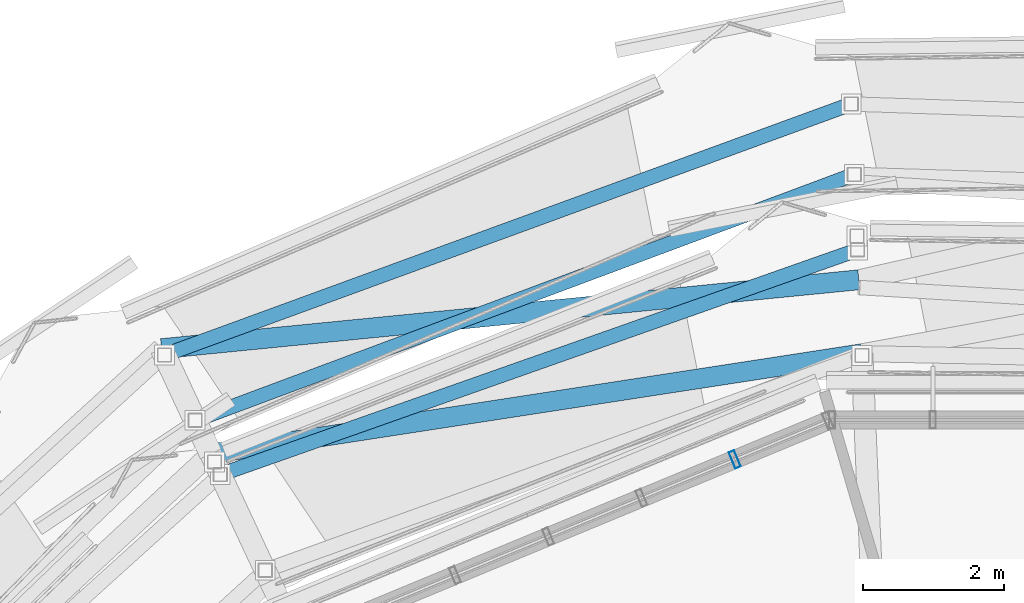
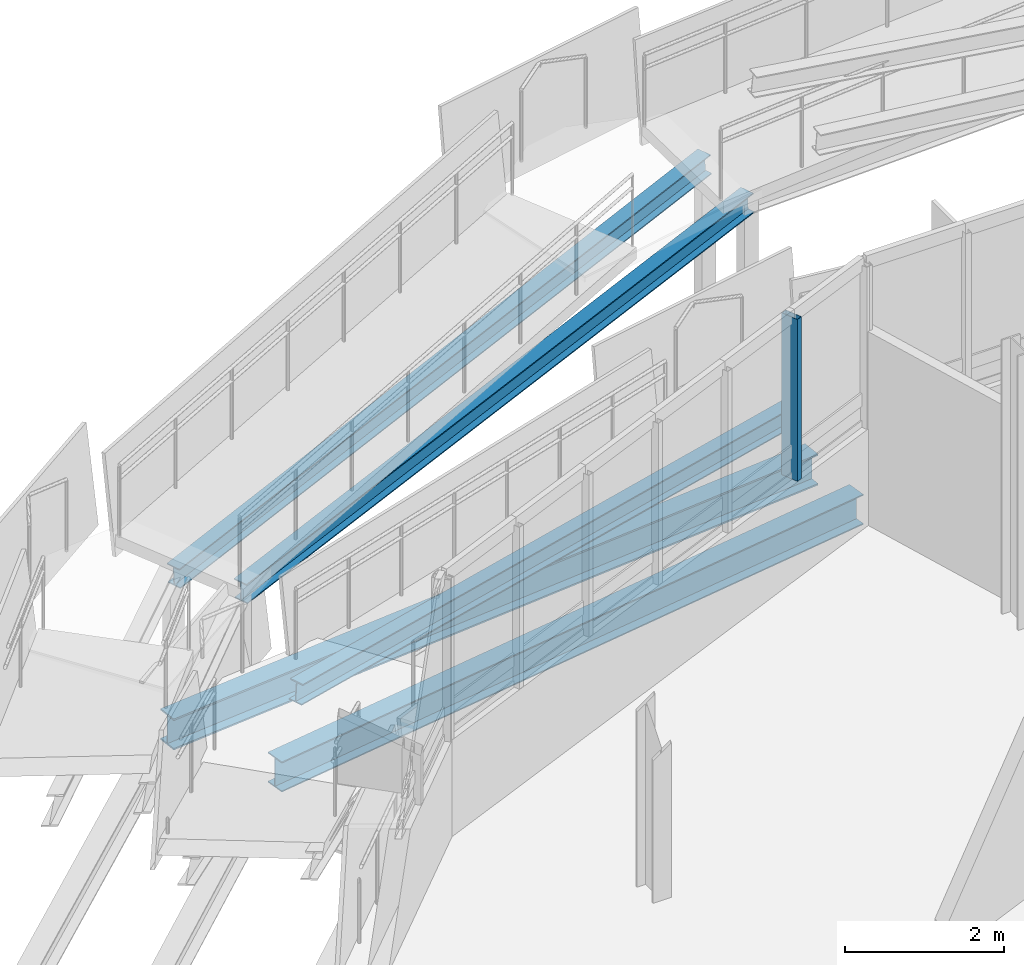
# One storey, part 46 of 107: 5 beams, 1 member, 1 element without a shape of its own.
"""IFC4 building model written with IfcOpenShell, lengths in metres."""

import ifcopenshell
import ifcopenshell.guid

model = None  # the IFC model being written
_history = None  # IfcOwnerHistory: only IFC2X3 demands one
_inside = {}  # id of a spatial element -> (the spatial element, [elements in it])
_under = {}  # id of a project, library or spatial element -> (it, [spatial elements below it])
_declared = {}  # id of a project -> (the project, [libraries it declares])
_typed = {}  # id of a type object -> (the type object, [elements of that type])
_made_of = {}  # id of a material, layer set ... -> (it, [elements and type objects made of it])


def new_model(schema):
    """Start an empty IFC model of exactly this schema.

    Asked for "IFC4X3", IfcOpenShell would pick the latest addendum, in which some entities
    have other attributes; the version numbers below select the first issue.
    IFC2X3 requires an IfcOwnerHistory on every rooted entity: one is made here for all.
    """
    global model, _history
    if schema == "IFC4X3":
        model = ifcopenshell.file(schema_version=(4, 3, 0, 0))
    else:
        model = ifcopenshell.file(schema=schema)
    _inside.clear()
    _under.clear()
    _declared.clear()
    _typed.clear()
    _made_of.clear()
    _history = None
    if model.schema == "IFC2X3":
        org = make("IfcOrganization", Name="unknown")
        user = make(
            "IfcPersonAndOrganization",
            ThePerson=make("IfcPerson", FamilyName="unknown"),
            TheOrganization=org,
        )
        app = make(
            "IfcApplication",
            ApplicationDeveloper=org,
            Version="unknown",
            ApplicationFullName="unknown",
            ApplicationIdentifier="unknown",
        )
        _history = make(
            "IfcOwnerHistory",
            OwningUser=user,
            OwningApplication=app,
            ChangeAction="ADDED",
            CreationDate=0,
        )
    return model


def make(cls, **values):
    """One entity of the class cls with the attributes given. An attribute that is None is left unset."""
    return model.create_entity(
        cls, **{name: value for name, value in values.items() if value is not None}
    )


def rooted(cls, **values):
    """An entity with a GlobalId (a new one), such as an element, a storey or a relation."""
    return make(cls, GlobalId=ifcopenshell.guid.new(), OwnerHistory=_history, **values)


def si_unit(unit_type, name, prefix=None):
    """IfcSIUnit, for example si_unit("LENGTHUNIT", "METRE", prefix="MILLI")."""
    return make("IfcSIUnit", UnitType=unit_type, Prefix=prefix, Name=name)


def derived_unit(unit_type, elements):
    """IfcDerivedUnit: a product of units, each with its exponent."""
    return make(
        "IfcDerivedUnit",
        Elements=[
            make("IfcDerivedUnitElement", Unit=unit, Exponent=power)
            for unit, power in elements
        ],
        UnitType=unit_type,
    )


def assignment(units):
    """IfcUnitAssignment: the units of a project."""
    return None if units is None else make("IfcUnitAssignment", Units=units)


def point(xyz):
    """IfcCartesianPoint."""
    return None if xyz is None else make("IfcCartesianPoint", Coordinates=xyz)


def direction(xyz):
    """IfcDirection."""
    return None if xyz is None else make("IfcDirection", DirectionRatios=xyz)


def frame(location, z_axis=None, x_axis=None):
    """IfcAxis2Placement3D, a coordinate frame: its origin and axes. An axis left out is left unset."""
    return make(
        "IfcAxis2Placement3D",
        Location=point(location),
        Axis=direction(z_axis),
        RefDirection=direction(x_axis),
    )


def frame_2d(location, x_axis=None):
    """IfcAxis2Placement2D, a coordinate frame in the plane: its origin and x axis."""
    return make(
        "IfcAxis2Placement2D", Location=point(location), RefDirection=direction(x_axis)
    )


def origin():
    """The frame at (0, 0, 0) with its axes left unset."""
    return frame((0.0, 0.0, 0.0))


def origin_2d():
    """The frame at (0, 0) in the plane with its x axis left unset."""
    return frame_2d((0.0, 0.0))


def place(relative_to, where):
    """IfcLocalPlacement: puts the frame where relative to a parent placement (None: the world)."""
    return make(
        "IfcLocalPlacement", PlacementRelTo=relative_to, RelativePlacement=where
    )


def context(
    kind, dimensions, precision=None, world=None, true_north=None, identifier=None
):
    """IfcGeometricRepresentationContext, for example the 3D "Model" context."""
    return make(
        "IfcGeometricRepresentationContext",
        ContextIdentifier=identifier,
        ContextType=kind,
        CoordinateSpaceDimension=dimensions,
        Precision=precision,
        WorldCoordinateSystem=world,
        TrueNorth=true_north,
    )


def subcontext(parent, identifier, kind, view, scale=None):
    """IfcGeometricRepresentationSubContext, for example "Body" below "Model"."""
    return make(
        "IfcGeometricRepresentationSubContext",
        ContextIdentifier=identifier,
        ContextType=kind,
        ParentContext=parent,
        TargetScale=scale,
        TargetView=view,
    )


def project(units=None, contexts=None):
    """IfcProject with its units and contexts."""
    return rooted(
        "IfcProject",
        Name="project",
        RepresentationContexts=contexts,
        UnitsInContext=assignment(units),
    )


def spatial(cls, under=None, at=None, **own):
    """A site, building, storey or space (cls), placed at a placement, below another one or the project."""
    s = rooted(cls, ObjectPlacement=at, **own)
    if under is not None:
        _under.setdefault(under.id(), (under, []))[1].append(s)
    return s


def profile(cls, at=None, kind="AREA", **sizes):
    """A parametric profile (cls). Its sizes go by their IFC names, for example OverallWidth=200.0."""
    return make(cls, ProfileType=kind, Position=at, **sizes)


def hollow_rectangle(**sizes):
    """IfcRectangleHollowProfileDef."""
    return profile("IfcRectangleHollowProfileDef", **sizes)


def i_section(**sizes):
    """IfcIShapeProfileDef."""
    return profile("IfcIShapeProfileDef", **sizes)


def extrude(swept, where, along, depth):
    """IfcExtrudedAreaSolid: the profile swept, set in the frame where, extruded along a direction by depth."""
    return make(
        "IfcExtrudedAreaSolid",
        SweptArea=swept,
        Position=where,
        ExtrudedDirection=direction(along),
        Depth=depth,
    )


def shape(context_of_items, identifier, shape_type, items):
    """IfcShapeRepresentation: the items that make up one representation, for example the "Body"."""
    return make(
        "IfcShapeRepresentation",
        ContextOfItems=context_of_items,
        RepresentationIdentifier=identifier,
        RepresentationType=shape_type,
        Items=items,
    )


def material(Name=None, Category=None):
    """IfcMaterial."""
    return make("IfcMaterial", Name=Name, Category=Category)


def layer(
    of_material, thickness, ventilated=None, Name=None, Category=None, Priority=None
):
    """IfcMaterialLayer: one layer of a wall or slab, of a material (None: an air gap)."""
    return make(
        "IfcMaterialLayer",
        Material=of_material,
        LayerThickness=thickness,
        IsVentilated=ventilated,
        Name=Name,
        Category=Category,
        Priority=Priority,
    )


def layer_set(layers, Name=None):
    """IfcMaterialLayerSet."""
    return make("IfcMaterialLayerSet", MaterialLayers=layers, LayerSetName=Name)


def material_profile(
    of_material, cross_section, Name=None, Category=None, Priority=None
):
    """IfcMaterialProfile: a cross section and its material."""
    return make(
        "IfcMaterialProfile",
        Name=Name,
        Material=of_material,
        Profile=cross_section,
        Priority=Priority,
        Category=Category,
    )


def profile_set(profiles, Name=None, composite=None):
    """IfcMaterialProfileSet."""
    return make(
        "IfcMaterialProfileSet",
        Name=Name,
        MaterialProfiles=profiles,
        CompositeProfile=composite,
    )


def made_of(thing, what):
    """Note that an element or type object is made of a material, layer set ...; save() writes the relation."""
    if what is not None:
        _made_of.setdefault(what.id(), (what, []))[1].append(thing)
    return thing


def type_object(cls, material=None, **own):
    """A type object (cls), such as IfcWallType, which elements share."""
    return made_of(rooted(cls, **own), material)


def element(
    cls,
    number,
    at=None,
    inside=None,
    cuts=None,
    type_object=None,
    material=None,
    context=None,
    identifier="Body",
    shape_type=None,
    held_by="IfcProductDefinitionShape",
    body=None,
    shapes=None,
    **own,
):
    """One element of the class cls, such as IfcWall. Its Tag is "e" and its number.

    at: its placement. inside: the storey or other place that contains it. cuts: it is an
    opening in that element (IfcRelVoidsElement). A single representation is given by context,
    identifier, shape_type and body (its items); several are given by shapes. held_by: the class
    of the entity that holds the representations. save() writes the other relations.
    """
    e = rooted(cls, Tag="e%d" % number, ObjectPlacement=at, **own)
    if body is not None:
        shapes = [shape(context, identifier, shape_type, body)]
    if shapes is not None:
        e.Representation = make(held_by, Representations=shapes)
    if inside is not None:
        _inside.setdefault(inside.id(), (inside, []))[1].append(e)
    if cuts is not None:
        rooted(
            "IfcRelVoidsElement", RelatingBuildingElement=cuts, RelatedOpeningElement=e
        )
    if type_object is not None:
        _typed.setdefault(type_object.id(), (type_object, []))[1].append(e)
    return made_of(e, material)


def aggregate(whole, parts):
    """IfcRelAggregates: a whole, such as a stair, and the parts it consists of."""
    return rooted("IfcRelAggregates", RelatingObject=whole, RelatedObjects=parts)


def save(model, path):
    """Write the relations noted so far, then the file.

    IfcRelAggregates (storeys below a building ...), IfcRelContainedInSpatialStructure (elements
    in a storey), IfcRelDefinesByType, IfcRelAssociatesMaterial and IfcRelDeclares: one each for
    every whole, place, type object, material and project.
    """
    for whole, parts in _under.values():
        aggregate(whole, parts)
    for where, things in _inside.values():
        rooted(
            "IfcRelContainedInSpatialStructure",
            RelatedElements=things,
            RelatingStructure=where,
        )
    for kind, things in _typed.values():
        rooted("IfcRelDefinesByType", RelatedObjects=things, RelatingType=kind)
    for what, things in _made_of.values():
        rooted("IfcRelAssociatesMaterial", RelatedObjects=things, RelatingMaterial=what)
    for by, libraries in _declared.values():
        rooted("IfcRelDeclares", RelatingContext=by, RelatedDefinitions=libraries)
    model.write(path)


model = new_model("IFC4")

# Units and contexts
model_context = context("Model", 3, precision=1e-05, world=origin(), true_north=direction((0.0, 1.0)))
body_context = subcontext(model_context, "Body", "Model", "MODEL_VIEW")
ifc_project = project(units=[si_unit("LENGTHUNIT", "METRE"), si_unit("AREAUNIT", "SQUARE_METRE"), si_unit("VOLUMEUNIT", "CUBIC_METRE"), si_unit("PLANEANGLEUNIT", "RADIAN"), si_unit("MASSUNIT", "GRAM", prefix="KILO"), derived_unit("THERMALTRANSMITTANCEUNIT", [(si_unit("MASSUNIT", "GRAM", prefix="KILO"), 1), (si_unit("TIMEUNIT", "SECOND"), -3), (si_unit("THERMODYNAMICTEMPERATUREUNIT", "KELVIN"), -1)])], contexts=[model_context])

# Site, building, storey
site_placement = place(None, origin())
site = spatial("IfcSite", under=ifc_project, at=site_placement, CompositionType="ELEMENT")
building_placement = place(site_placement, origin())
building = spatial("IfcBuilding", under=site, at=building_placement, Name="Makaiwela Harbour Ferry Terminal", CompositionType="ELEMENT")
storey_placement = place(building_placement, frame((0.0, 0.0, 9.60009765625)))
storey = spatial("IfcBuildingStorey", under=building, at=storey_placement, Name="L02", CompositionType="ELEMENT", Elevation=9.60009765625)

# Curtain wall, member
ifc_material_1 = material(Name="Marine anodised aluminium 6063-T6", Category="aluminium")
ifc_layer = layer(ifc_material_1, 0.199951171875)
ifc_layer_set = layer_set([ifc_layer], Name="Marine anodised aluminium 6063-T6")
curtain_wall_type = type_object("IfcCurtainWallType", Name="ENV-CW-04", PredefinedType="USERDEFINED", material=ifc_layer_set)
curtain_wall_placement = place(storey_placement, origin())
curtain_wall = element("IfcCurtainWall", 1, at=curtain_wall_placement, inside=storey, type_object=curtain_wall_type, Name="Unitised Curtain Wall CWA-022", ObjectType="UNITIZED CURTAIN WALL", PredefinedType="USERDEFINED")
ifc_material_profile_1 = material_profile(ifc_material_1, hollow_rectangle(XDim=0.0849609375, YDim=0.25, WallThickness=0.0048828125, at=origin_2d()), Name="CWM-250X85")
ifc_profile_set_1 = profile_set([ifc_material_profile_1], Name="Marine anodised aluminium 6063-T6")
member_type = type_object("IfcMemberType", Name="CW-MUL-250", PredefinedType="MULLION", material=ifc_profile_set_1)
member_placement = place(storey_placement, frame((31.36669921875, 89.3232421875, 1.47998046875), z_axis=(0.0, 0.0, 1.0), x_axis=(0.923879532511, 0.382683432365, 0.0)))
member = element("IfcMember", 2, at=member_placement, type_object=member_type, Name="Curtain Wall Mullion CWA-022-2", PredefinedType="MULLION", context=body_context, shape_type="SweptSolid", body=[
    extrude(hollow_rectangle(XDim=0.0849609375, YDim=0.25, WallThickness=0.0048828125, at=origin_2d()), origin(), (0.0, 0.0, 1.0), 2.47998046875),
])
aggregate(curtain_wall, [member])

# Beams
ifc_material_2 = material(Name="Steel ASTM A992 Grade 50", Category="steel")
ifc_material_profile_2 = material_profile(ifc_material_2, i_section(OverallWidth=0.280029296875, OverallDepth=0.462890625, WebThickness=0.0107421875, FlangeThickness=0.017333984375, at=origin_2d()), Name="W18X76")
ifc_profile_set_2 = profile_set([ifc_material_profile_2], Name="Steel ASTM A992 Grade 50")
beam_type_1 = type_object("IfcBeamType", Name="STR-BM-W18X76", PredefinedType="BEAM", material=ifc_profile_set_2)
beam_1_placement = place(storey_placement, frame((33.173583984375, 90.82568359375, -0.49169921875), z_axis=(-0.988365063571, -0.152100299516, 0.0), x_axis=(0.152100299516, -0.988365063571, 0.0)))
element("IfcBeam", 3, at=beam_1_placement, inside=storey, type_object=beam_type_1, Name="Drum stage2 tie girder 207", PredefinedType="BEAM", context=body_context, shape_type="SweptSolid", body=[
    extrude(i_section(OverallWidth=0.280029296875, OverallDepth=0.462890625, WebThickness=0.0107421875, FlangeThickness=0.017333984375, at=origin_2d()), origin(), (0.0, 0.0, 1.0), 9.361083984375),
])
ifc_material_profile_3 = material_profile(ifc_material_2, i_section(OverallWidth=0.205078125, OverallDepth=0.31005859375, WebThickness=0.009521484375, FlangeThickness=0.016357421875, at=origin_2d()), Name="W12X50")
ifc_profile_set_3 = profile_set([ifc_material_profile_3], Name="Steel ASTM A992 Grade 50")
beam_type_2 = type_object("IfcBeamType", Name="STR-LNT-W12X50", PredefinedType="LINTEL", material=ifc_profile_set_3)
beam_2_placement = place(storey_placement, frame((33.111083984375, 92.299560546875, 0.075439453125), z_axis=(-0.93991748255, -0.331362801906, 0.082181625136), x_axis=(0.332487484328, -0.943107667642, 0.0)))
element("IfcBeam", 4, at=beam_2_placement, inside=storey, type_object=beam_type_2, Name="Coiled Ramp Stringer L02-FI2-OUT", PredefinedType="LINTEL", context=body_context, shape_type="SweptSolid", body=[
    extrude(i_section(OverallWidth=0.205078125, OverallDepth=0.31005859375, WebThickness=0.009521484375, FlangeThickness=0.016357421875, at=origin_2d()), origin(), (0.0, 0.0, 1.0), 9.631103515625),
])
beam_3_placement = place(storey_placement, frame((23.69921875, 89.87744140625, 2.06982421875), z_axis=(0.935245480189, 0.348891784503, 0.059920067517), x_axis=(-0.349519809222, 0.936928974342, 0.0)))
element("IfcBeam", 5, at=beam_3_placement, inside=storey, type_object=beam_type_2, Name="Coiled Ramp Stringer L02-FO2-IN", PredefinedType="LINTEL", context=body_context, shape_type="SweptSolid", body=[
    extrude(i_section(OverallWidth=0.205078125, OverallDepth=0.31005859375, WebThickness=0.009521484375, FlangeThickness=0.016357421875, at=origin_2d()), origin(), (0.0, 0.0, 1.0), 10.014892578125),
])
beam_4_placement = place(storey_placement, frame((23.26513671875, 90.805908203125, 1.89306640625), z_axis=(0.936632396505, 0.34234688585, 0.074285688832), x_axis=(-0.34329541068, 0.939227480968, 0.0)))
element("IfcBeam", 6, at=beam_4_placement, inside=storey, type_object=beam_type_2, Name="Coiled Ramp Stringer L02-FO2-OUT", PredefinedType="LINTEL", context=body_context, shape_type="SweptSolid", body=[
    extrude(i_section(OverallWidth=0.205078125, OverallDepth=0.31005859375, WebThickness=0.009521484375, FlangeThickness=0.016357421875, at=origin_2d()), origin(), (0.0, 0.0, 1.0), 10.418212890625),
])
ifc_material_profile_4 = material_profile(ifc_material_2, i_section(OverallWidth=0.283935546875, OverallDepth=0.47607421875, WebThickness=0.014892578125, FlangeThickness=0.02392578125, at=origin_2d()), Name="W18X106")
ifc_profile_set_4 = profile_set([ifc_material_profile_4], Name="Steel ASTM A992 Grade 50")
beam_type_3 = type_object("IfcBeamType", Name="STR-SPN-W18X106", PredefinedType="SPANDREL", material=ifc_profile_set_4)
beam_5_placement = place(storey_placement, frame((33.129150390625, 91.874755859375, -0.498046875), z_axis=(-0.995159303454, -0.098274924313, 0.0), x_axis=(0.098274924313, -0.995159303454, 0.0)))
element("IfcBeam", 7, at=beam_5_placement, inside=storey, type_object=beam_type_3, Name="Drum perimeter spandrel 227", PredefinedType="SPANDREL", context=body_context, shape_type="SweptSolid", body=[
    extrude(i_section(OverallWidth=0.283935546875, OverallDepth=0.47607421875, WebThickness=0.014892578125, FlangeThickness=0.02392578125, at=origin_2d()), origin(), (0.0, 0.0, 1.0), 9.954345703125),
])

save(model, "model.ifc")
